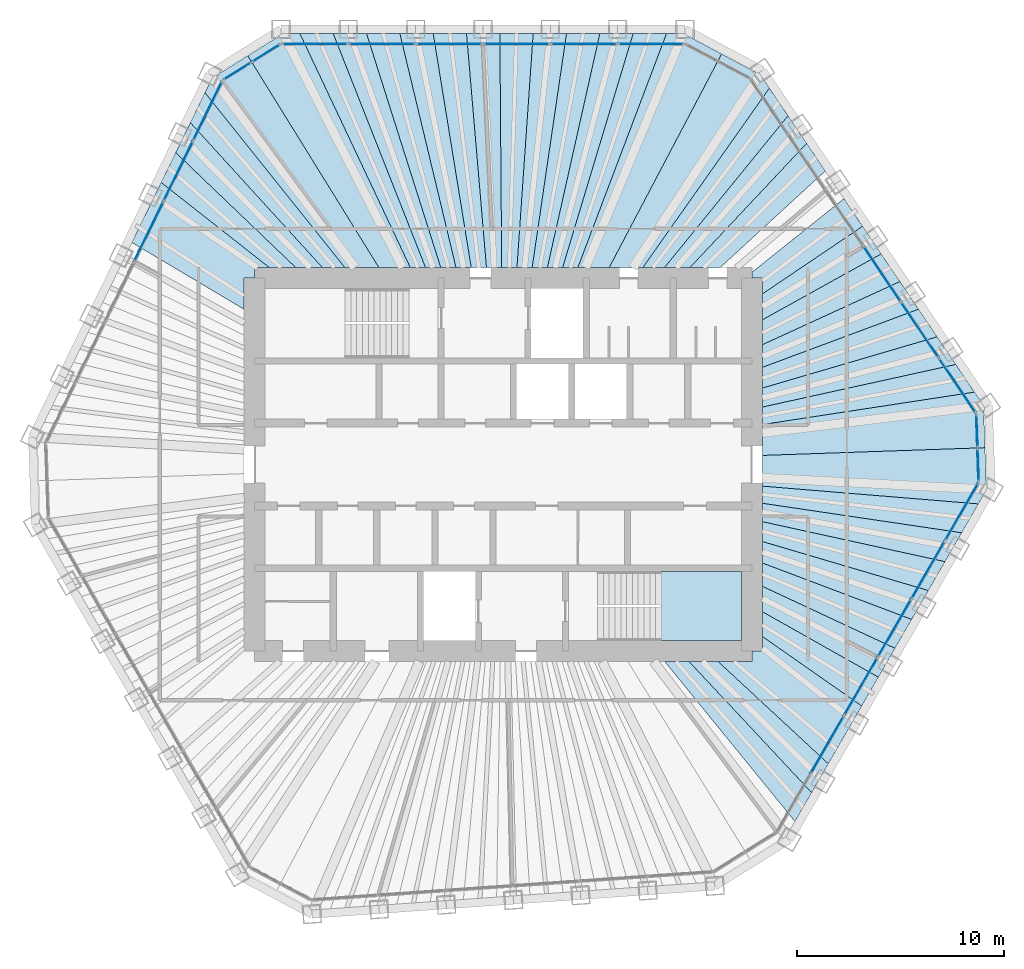
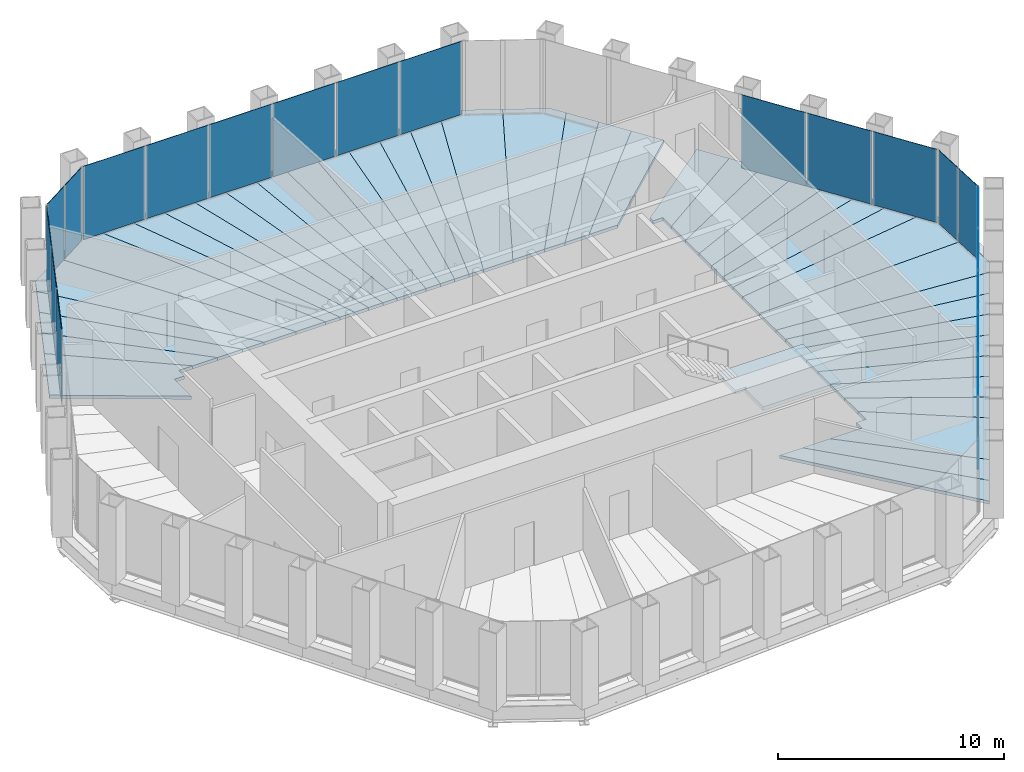
# One storey, part 10 of 14: 42 slabs, 21 plates, 7 elements without a shape of their own.
"""IFC4 building model written with IfcOpenShell, lengths in metres."""

from ifc_helpers import new_model, si_unit, direction, frame, origin, origin_2d, place, context, subcontext, project, spatial, polyline, rectangle, outline, extrude, material, layer, layer_set, type_object, element, aggregate, save


model = new_model("IFC4")

# Units and contexts
model_context = context("Model", 3, precision=1e-05, world=origin(), true_north=direction((0.0, 1.0)))
body_context = subcontext(model_context, "Body", "Model", "MODEL_VIEW")
ifc_project = project(units=[si_unit("LENGTHUNIT", "METRE"), si_unit("AREAUNIT", "SQUARE_METRE"), si_unit("VOLUMEUNIT", "CUBIC_METRE"), si_unit("PLANEANGLEUNIT", "RADIAN"), si_unit("MASSUNIT", "GRAM", prefix="KILO")], contexts=[model_context])

# Site, building, storey
site_placement = place(None, origin())
site = spatial("IfcSite", under=ifc_project, at=site_placement, CompositionType="ELEMENT")
building_placement = place(site_placement, origin())
building = spatial("IfcBuilding", under=site, at=building_placement, Name="Qingtian Harvest Tower", CompositionType="ELEMENT")
storey_placement = place(building_placement, frame((0.0, 0.0, 291.39990234375)))
storey = spatial("IfcBuildingStorey", under=building, at=storey_placement, Name="L64", CompositionType="ELEMENT", Elevation=291.39990234375)

# Slabs
ifc_material_1 = material(Name="Concrete fc' 35 MPa", Category="concrete")
ifc_layer_1 = layer(ifc_material_1, 0.169921875)
ifc_layer_set_1 = layer_set([ifc_layer_1], Name="Composite floor slab FS17 170")
slab_type_1 = type_object("IfcSlabType", Name="Composite floor slab FS17 170", PredefinedType="FLOOR", material=ifc_layer_set_1)
slab_1_placement = place(storey_placement, frame((0.0, 0.0, -0.169921875)))
element("IfcSlab", 1, at=slab_1_placement, inside=storey, type_object=slab_type_1, Name="Floor slab L64 panel D28", PredefinedType="FLOOR", context=body_context, shape_type="SweptSolid", body=[
    extrude(outline(polyline([(8.957275390625, -9.5), (14.88232421875, -15.8330078125), (14.077880859375, -17.2265625), (7.78515625, -9.5), (8.957275390625, -9.5)])), origin(), (0.0, 0.0, 1.0), 0.169921875),
])
slab_2_placement = place(storey_placement, frame((0.0, 0.0, -0.169921875)))
element("IfcSlab", 2, at=slab_2_placement, inside=storey, type_object=slab_type_1, Name="Floor slab L64 panel D29", PredefinedType="FLOOR", context=body_context, shape_type="SweptSolid", body=[
    extrude(outline(polyline([(10.35693359375, -9.5), (15.68701171875, -14.439453125), (14.88232421875, -15.8330078125), (8.957275390625, -9.5), (10.35693359375, -9.5)])), origin(), (0.0, 0.0, 1.0), 0.169921875),
])
slab_3_placement = place(storey_placement, frame((0.0, 0.0, -0.169921875)))
element("IfcSlab", 3, at=slab_3_placement, inside=storey, type_object=slab_type_1, Name="Floor slab L64 panel D31", PredefinedType="FLOOR", context=body_context, shape_type="SweptSolid", body=[
    extrude(outline(polyline([(12.5, -8.29443359375), (17.297119140625, -11.650390625), (15.68701171875, -14.439453125), (10.35693359375, -9.5), (12.0, -9.5), (12.0, -9.0), (12.5, -9.0), (12.5, -8.29443359375)])), origin(), (0.0, 0.0, 1.0), 0.169921875),
])
slab_4_placement = place(storey_placement, frame((0.0, 0.0, -0.169921875)))
element("IfcSlab", 4, at=slab_4_placement, inside=storey, type_object=slab_type_1, Name="Floor slab L64 panel D32", PredefinedType="FLOOR", context=body_context, shape_type="SweptSolid", body=[
    extrude(outline(polyline([(12.5, -7.099853515625), (18.099853515625, -10.26025390625), (17.297119140625, -11.650390625), (12.5, -8.29443359375), (12.5, -7.099853515625)])), origin(), (0.0, 0.0, 1.0), 0.169921875),
])
slab_5_placement = place(storey_placement, frame((0.0, 0.0, -0.169921875)))
element("IfcSlab", 5, at=slab_5_placement, inside=storey, type_object=slab_type_1, Name="Floor slab L64 panel D33", PredefinedType="FLOOR", context=body_context, shape_type="SweptSolid", body=[
    extrude(outline(polyline([(12.5, -5.875244140625), (18.904296875, -8.86669921875), (18.099853515625, -10.26025390625), (12.5, -7.099853515625), (12.5, -5.875244140625)])), origin(), (0.0, 0.0, 1.0), 0.169921875),
])
slab_6_placement = place(storey_placement, frame((0.0, 0.0, -0.169921875)))
element("IfcSlab", 6, at=slab_6_placement, inside=storey, type_object=slab_type_1, Name="Floor slab L64 panel D34", PredefinedType="FLOOR", context=body_context, shape_type="SweptSolid", body=[
    extrude(outline(polyline([(12.5, -4.750732421875), (19.708740234375, -7.473388671875), (18.904296875, -8.86669921875), (12.5, -5.875244140625), (12.5, -4.750732421875)])), origin(), (0.0, 0.0, 1.0), 0.169921875),
])
slab_7_placement = place(storey_placement, frame((0.0, 0.0, -0.169921875)))
element("IfcSlab", 7, at=slab_7_placement, inside=storey, type_object=slab_type_1, Name="Floor slab L64 panel D35", PredefinedType="FLOOR", context=body_context, shape_type="SweptSolid", body=[
    extrude(outline(polyline([(12.5, -3.714599609375), (20.51318359375, -6.080078125), (19.708740234375, -7.473388671875), (12.5, -4.750732421875), (12.5, -3.714599609375)])), origin(), (0.0, 0.0, 1.0), 0.169921875),
])
slab_8_placement = place(storey_placement, frame((0.0, 0.0, -0.169921875)))
element("IfcSlab", 8, at=slab_8_placement, inside=storey, type_object=slab_type_1, Name="Floor slab L64 panel D36", PredefinedType="FLOOR", context=body_context, shape_type="SweptSolid", body=[
    extrude(outline(polyline([(12.5, -2.756591796875), (21.317626953125, -4.6865234375), (20.51318359375, -6.080078125), (12.5, -3.714599609375), (12.5, -2.756591796875)])), origin(), (0.0, 0.0, 1.0), 0.169921875),
])
slab_9_placement = place(storey_placement, frame((0.0, 0.0, -0.169921875)))
element("IfcSlab", 9, at=slab_9_placement, inside=storey, type_object=slab_type_1, Name="Floor slab L64 panel D37", PredefinedType="FLOOR", context=body_context, shape_type="SweptSolid", body=[
    extrude(outline(polyline([(12.5, -1.868408203125), (22.122314453125, -3.293212890625), (21.317626953125, -4.6865234375), (12.5, -2.756591796875), (12.5, -1.868408203125)])), origin(), (0.0, 0.0, 1.0), 0.169921875),
])
slab_10_placement = place(storey_placement, frame((0.0, 0.0, -0.169921875)))
element("IfcSlab", 10, at=slab_10_placement, inside=storey, type_object=slab_type_1, Name="Floor slab L64 panel D38", PredefinedType="FLOOR", context=body_context, shape_type="SweptSolid", body=[
    extrude(outline(polyline([(12.5, -1.042724609375), (22.9267578125, -1.89990234375), (22.122314453125, -3.293212890625), (12.5, -1.868408203125), (12.5, -1.042724609375)])), origin(), (0.0, 0.0, 1.0), 0.169921875),
])
slab_11_placement = place(storey_placement, frame((0.0, 0.0, -0.169921875)))
element("IfcSlab", 11, at=slab_11_placement, inside=storey, type_object=slab_type_1, Name="Floor slab L64 panel D39", PredefinedType="FLOOR", context=body_context, shape_type="SweptSolid", body=[
    extrude(outline(polyline([(12.5, -1.042724609375), (12.5, 0.439697265625), (23.246826171875, 0.811767578125), (23.31787109375, -1.22216796875), (22.9267578125, -1.89990234375), (12.5, -1.042724609375)])), origin(), (0.0, 0.0, 1.0), 0.169921875),
])
slab_12_placement = place(storey_placement, frame((0.0, 0.0, -0.169921875)))
element("IfcSlab", 12, at=slab_12_placement, inside=storey, type_object=slab_type_1, Name="Floor slab L64 panel D40", PredefinedType="FLOOR", context=body_context, shape_type="SweptSolid", body=[
    extrude(outline(polyline([(12.5, 0.439697265625), (12.5, 1.928955078125), (22.73828125, 3.494384765625), (23.17578125, 2.845947265625), (23.246826171875, 0.811767578125), (12.5, 0.439697265625)])), origin(), (0.0, 0.0, 1.0), 0.169921875),
])
slab_13_placement = place(storey_placement, frame((0.0, 0.0, -0.169921875)))
element("IfcSlab", 13, at=slab_13_placement, inside=storey, type_object=slab_type_1, Name="Floor slab L64 panel D41", PredefinedType="FLOOR", context=body_context, shape_type="SweptSolid", body=[
    extrude(outline(polyline([(12.5, 2.772705078125), (21.838623046875, 4.828369140625), (22.73828125, 3.494384765625), (12.5, 1.928955078125), (12.5, 2.772705078125)])), origin(), (0.0, 0.0, 1.0), 0.169921875),
])
slab_14_placement = place(storey_placement, frame((0.0, 0.0, -0.169921875)))
element("IfcSlab", 14, at=slab_14_placement, inside=storey, type_object=slab_type_1, Name="Floor slab L64 panel D42", PredefinedType="FLOOR", context=body_context, shape_type="SweptSolid", body=[
    extrude(outline(polyline([(12.5, 3.688720703125), (20.93896484375, 6.162353515625), (21.838623046875, 4.828369140625), (12.5, 2.772705078125), (12.5, 3.688720703125)])), origin(), (0.0, 0.0, 1.0), 0.169921875),
])
slab_15_placement = place(storey_placement, frame((0.0, 0.0, -0.169921875)))
element("IfcSlab", 15, at=slab_15_placement, inside=storey, type_object=slab_type_1, Name="Floor slab L64 panel D43", PredefinedType="FLOOR", context=body_context, shape_type="SweptSolid", body=[
    extrude(outline(polyline([(12.5, 4.6875), (20.0390625, 7.49609375), (20.93896484375, 6.162353515625), (12.5, 3.688720703125), (12.5, 4.6875)])), origin(), (0.0, 0.0, 1.0), 0.169921875),
])
slab_16_placement = place(storey_placement, frame((0.0, 0.0, -0.169921875)))
element("IfcSlab", 16, at=slab_16_placement, inside=storey, type_object=slab_type_1, Name="Floor slab L64 panel D44", PredefinedType="FLOOR", context=body_context, shape_type="SweptSolid", body=[
    extrude(outline(polyline([(12.5, 5.780029296875), (19.139404296875, 8.830078125), (20.0390625, 7.49609375), (12.5, 4.6875), (12.5, 5.780029296875)])), origin(), (0.0, 0.0, 1.0), 0.169921875),
])
slab_17_placement = place(storey_placement, frame((0.0, 0.0, -0.169921875)))
element("IfcSlab", 17, at=slab_17_placement, inside=storey, type_object=slab_type_1, Name="Floor slab L64 panel D45", PredefinedType="FLOOR", context=body_context, shape_type="SweptSolid", body=[
    extrude(outline(polyline([(12.5, 6.980712890625), (18.23974609375, 10.1640625), (19.139404296875, 8.830078125), (12.5, 5.780029296875), (12.5, 6.980712890625)])), origin(), (0.0, 0.0, 1.0), 0.169921875),
])
slab_18_placement = place(storey_placement, frame((0.0, 0.0, -0.169921875)))
element("IfcSlab", 18, at=slab_18_placement, inside=storey, type_object=slab_type_1, Name="Floor slab L64 panel D46", PredefinedType="FLOOR", context=body_context, shape_type="SweptSolid", body=[
    extrude(outline(polyline([(12.5, 8.22998046875), (17.341064453125, 11.496337890625), (18.23974609375, 10.1640625), (12.5, 6.980712890625), (12.5, 8.22998046875)])), origin(), (0.0, 0.0, 1.0), 0.169921875),
])
slab_19_placement = place(storey_placement, frame((0.0, 0.0, -0.169921875)))
element("IfcSlab", 19, at=slab_19_placement, inside=storey, type_object=slab_type_1, Name="Floor slab L64 panel D47", PredefinedType="FLOOR", context=body_context, shape_type="SweptSolid", body=[
    extrude(outline(polyline([(12.5, 9.0), (12.0, 9.0), (12.0, 9.2734375), (16.44189453125, 12.829345703125), (17.341064453125, 11.496337890625), (12.5, 8.22998046875), (12.5, 9.0)])), origin(), (0.0, 0.0, 1.0), 0.169921875),
])
slab_20_placement = place(storey_placement, frame((0.0, 0.0, -0.169921875)))
element("IfcSlab", 20, at=slab_20_placement, inside=storey, type_object=slab_type_1, Name="Floor slab L64 panel D49", PredefinedType="FLOOR", context=body_context, shape_type="SweptSolid", body=[
    extrude(outline(polyline([(9.002685546875, 9.5), (14.641357421875, 15.498779296875), (15.541259765625, 14.16455078125), (10.4599609375, 9.5), (9.002685546875, 9.5)])), origin(), (0.0, 0.0, 1.0), 0.169921875),
])
slab_21_placement = place(storey_placement, frame((0.0, 0.0, -0.169921875)))
element("IfcSlab", 21, at=slab_21_placement, inside=storey, type_object=slab_type_1, Name="Floor slab L64 panel D50", PredefinedType="FLOOR", context=body_context, shape_type="SweptSolid", body=[
    extrude(outline(polyline([(7.77734375, 9.5), (13.74169921875, 16.832763671875), (14.641357421875, 15.498779296875), (9.002685546875, 9.5), (7.77734375, 9.5)])), origin(), (0.0, 0.0, 1.0), 0.169921875),
])
slab_22_placement = place(storey_placement, frame((0.0, 0.0, -0.169921875)))
element("IfcSlab", 22, at=slab_22_placement, inside=storey, type_object=slab_type_1, Name="Floor slab L64 panel D51", PredefinedType="FLOOR", context=body_context, shape_type="SweptSolid", body=[
    extrude(outline(polyline([(6.73291015625, 9.5), (12.841796875, 18.16650390625), (13.74169921875, 16.832763671875), (7.77734375, 9.5), (6.73291015625, 9.5)])), origin(), (0.0, 0.0, 1.0), 0.169921875),
])
slab_23_placement = place(storey_placement, frame((0.0, 0.0, -0.169921875)))
element("IfcSlab", 23, at=slab_23_placement, inside=storey, type_object=slab_type_1, Name="Floor slab L64 panel D52", PredefinedType="FLOOR", context=body_context, shape_type="SweptSolid", body=[
    extrude(outline(polyline([(6.73291015625, 9.5), (5.108154296875, 9.5), (10.5341796875, 19.809814453125), (12.404296875, 18.8154296875), (12.841796875, 18.16650390625), (6.73291015625, 9.5)])), origin(), (0.0, 0.0, 1.0), 0.169921875),
])
slab_24_placement = place(storey_placement, frame((0.0, 0.0, -0.169921875)))
element("IfcSlab", 24, at=slab_24_placement, inside=storey, type_object=slab_type_1, Name="Floor slab L64 panel D53", PredefinedType="FLOOR", context=body_context, shape_type="SweptSolid", body=[
    extrude(outline(polyline([(3.59814453125, 9.5), (7.880126953125, 20.804931640625), (8.662109375, 20.804931640625), (10.5341796875, 19.809814453125), (5.108154296875, 9.5), (3.59814453125, 9.5)])), origin(), (0.0, 0.0, 1.0), 0.169921875),
])
slab_25_placement = place(storey_placement, frame((0.0, 0.0, -0.169921875)))
element("IfcSlab", 25, at=slab_25_placement, inside=storey, type_object=slab_type_1, Name="Floor slab L64 panel D54", PredefinedType="FLOOR", context=body_context, shape_type="SweptSolid", body=[
    extrude(outline(polyline([(2.863525390625, 9.5), (6.27099609375, 20.804931640625), (7.880126953125, 20.804931640625), (3.59814453125, 9.5), (2.863525390625, 9.5)])), origin(), (0.0, 0.0, 1.0), 0.169921875),
])
slab_26_placement = place(storey_placement, frame((0.0, 0.0, -0.169921875)))
element("IfcSlab", 26, at=slab_26_placement, inside=storey, type_object=slab_type_1, Name="Floor slab L64 panel D55", PredefinedType="FLOOR", context=body_context, shape_type="SweptSolid", body=[
    extrude(outline(polyline([(2.12890625, 9.5), (4.662109375, 20.804931640625), (6.27099609375, 20.804931640625), (2.863525390625, 9.5), (2.12890625, 9.5)])), origin(), (0.0, 0.0, 1.0), 0.169921875),
])
slab_27_placement = place(storey_placement, frame((0.0, 0.0, -0.169921875)))
element("IfcSlab", 27, at=slab_27_placement, inside=storey, type_object=slab_type_1, Name="Floor slab L64 panel D56", PredefinedType="FLOOR", context=body_context, shape_type="SweptSolid", body=[
    extrude(outline(polyline([(1.394287109375, 9.5), (3.05322265625, 20.804931640625), (4.662109375, 20.804931640625), (2.12890625, 9.5), (1.394287109375, 9.5)])), origin(), (0.0, 0.0, 1.0), 0.169921875),
])
slab_28_placement = place(storey_placement, frame((0.0, 0.0, -0.169921875)))
element("IfcSlab", 28, at=slab_28_placement, inside=storey, type_object=slab_type_1, Name="Floor slab L64 panel D57", PredefinedType="FLOOR", context=body_context, shape_type="SweptSolid", body=[
    extrude(outline(polyline([(0.659423828125, 9.5), (1.4443359375, 20.804931640625), (3.05322265625, 20.804931640625), (1.394287109375, 9.5), (0.659423828125, 9.5)])), origin(), (0.0, 0.0, 1.0), 0.169921875),
])
slab_29_placement = place(storey_placement, frame((0.0, 0.0, -0.169921875)))
element("IfcSlab", 29, at=slab_29_placement, inside=storey, type_object=slab_type_1, Name="Floor slab L64 panel D58", PredefinedType="FLOOR", context=body_context, shape_type="SweptSolid", body=[
    extrude(outline(polyline([(-0.0751953125, 9.5), (-0.16455078125, 20.804931640625), (1.4443359375, 20.804931640625), (0.659423828125, 9.5), (-0.0751953125, 9.5)])), origin(), (0.0, 0.0, 1.0), 0.169921875),
])
slab_30_placement = place(storey_placement, frame((0.0, 0.0, -0.169921875)))
element("IfcSlab", 30, at=slab_30_placement, inside=storey, type_object=slab_type_1, Name="Floor slab L64 panel D59", PredefinedType="FLOOR", context=body_context, shape_type="SweptSolid", body=[
    extrude(outline(polyline([(-0.809814453125, 9.5), (-1.773681640625, 20.804931640625), (-0.16455078125, 20.804931640625), (-0.0751953125, 9.5), (-0.809814453125, 9.5)])), origin(), (0.0, 0.0, 1.0), 0.169921875),
])
slab_31_placement = place(storey_placement, frame((0.0, 0.0, -0.169921875)))
element("IfcSlab", 31, at=slab_31_placement, inside=storey, type_object=slab_type_1, Name="Floor slab L64 panel D60", PredefinedType="FLOOR", context=body_context, shape_type="SweptSolid", body=[
    extrude(outline(polyline([(-1.54443359375, 9.5), (-3.382568359375, 20.804931640625), (-1.773681640625, 20.804931640625), (-0.809814453125, 9.5), (-1.54443359375, 9.5)])), origin(), (0.0, 0.0, 1.0), 0.169921875),
])
slab_32_placement = place(storey_placement, frame((0.0, 0.0, -0.169921875)))
element("IfcSlab", 32, at=slab_32_placement, inside=storey, type_object=slab_type_1, Name="Floor slab L64 panel D61", PredefinedType="FLOOR", context=body_context, shape_type="SweptSolid", body=[
    extrude(outline(polyline([(-2.279296875, 9.5), (-4.991455078125, 20.804931640625), (-3.382568359375, 20.804931640625), (-1.54443359375, 9.5), (-2.279296875, 9.5)])), origin(), (0.0, 0.0, 1.0), 0.169921875),
])
slab_33_placement = place(storey_placement, frame((0.0, 0.0, -0.169921875)))
element("IfcSlab", 33, at=slab_33_placement, inside=storey, type_object=slab_type_1, Name="Floor slab L64 panel D62", PredefinedType="FLOOR", context=body_context, shape_type="SweptSolid", body=[
    extrude(outline(polyline([(-3.013916015625, 9.5), (-6.600341796875, 20.804931640625), (-4.991455078125, 20.804931640625), (-2.279296875, 9.5), (-3.013916015625, 9.5)])), origin(), (0.0, 0.0, 1.0), 0.169921875),
])
slab_34_placement = place(storey_placement, frame((0.0, 0.0, -0.169921875)))
element("IfcSlab", 34, at=slab_34_placement, inside=storey, type_object=slab_type_1, Name="Floor slab L64 panel D63", PredefinedType="FLOOR", context=body_context, shape_type="SweptSolid", body=[
    extrude(outline(polyline([(-3.74853515625, 9.5), (-8.209228515625, 20.804931640625), (-6.600341796875, 20.804931640625), (-3.013916015625, 9.5), (-3.74853515625, 9.5)])), origin(), (0.0, 0.0, 1.0), 0.169921875),
])
slab_35_placement = place(storey_placement, frame((0.0, 0.0, -0.169921875)))
element("IfcSlab", 35, at=slab_35_placement, inside=storey, type_object=slab_type_1, Name="Floor slab L64 panel D64", PredefinedType="FLOOR", context=body_context, shape_type="SweptSolid", body=[
    extrude(outline(polyline([(-4.483154296875, 9.5), (-9.818115234375, 20.804931640625), (-8.209228515625, 20.804931640625), (-3.74853515625, 9.5), (-4.483154296875, 9.5)])), origin(), (0.0, 0.0, 1.0), 0.169921875),
])
slab_36_placement = place(storey_placement, frame((0.0, 0.0, -0.169921875)))
element("IfcSlab", 36, at=slab_36_placement, inside=storey, type_object=slab_type_1, Name="Floor slab L64 panel D65", PredefinedType="FLOOR", context=body_context, shape_type="SweptSolid", body=[
    extrude(outline(polyline([(-4.483154296875, 9.5), (-5.998291015625, 9.5), (-12.327392578125, 19.725830078125), (-10.600341796875, 20.804931640625), (-9.818115234375, 20.804931640625), (-4.483154296875, 9.5)])), origin(), (0.0, 0.0, 1.0), 0.169921875),
])
slab_37_placement = place(storey_placement, frame((0.0, 0.0, -0.169921875)))
element("IfcSlab", 37, at=slab_37_placement, inside=storey, type_object=slab_type_1, Name="Floor slab L64 panel D66", PredefinedType="FLOOR", context=body_context, shape_type="SweptSolid", body=[
    extrude(outline(polyline([(-5.998291015625, 9.5), (-7.640869140625, 9.5), (-14.3955078125, 17.944580078125), (-14.052490234375, 18.64794921875), (-12.327392578125, 19.725830078125), (-5.998291015625, 9.5)])), origin(), (0.0, 0.0, 1.0), 0.169921875),
])
slab_38_placement = place(storey_placement, frame((0.0, 0.0, -0.169921875)))
element("IfcSlab", 38, at=slab_38_placement, inside=storey, type_object=slab_type_1, Name="Floor slab L64 panel D67", PredefinedType="FLOOR", context=body_context, shape_type="SweptSolid", body=[
    extrude(outline(polyline([(-8.720703125, 9.5), (-15.100830078125, 16.498291015625), (-14.3955078125, 17.944580078125), (-7.640869140625, 9.5), (-8.720703125, 9.5)])), origin(), (0.0, 0.0, 1.0), 0.169921875),
])
slab_39_placement = place(storey_placement, frame((0.0, 0.0, -0.169921875)))
element("IfcSlab", 39, at=slab_39_placement, inside=storey, type_object=slab_type_1, Name="Floor slab L64 panel D68", PredefinedType="FLOOR", context=body_context, shape_type="SweptSolid", body=[
    extrude(outline(polyline([(-10.00927734375, 9.5), (-15.80615234375, 15.05224609375), (-15.100830078125, 16.498291015625), (-8.720703125, 9.5), (-10.00927734375, 9.5)])), origin(), (0.0, 0.0, 1.0), 0.169921875),
])
slab_40_placement = place(storey_placement, frame((0.0, 0.0, -0.169921875)))
element("IfcSlab", 40, at=slab_40_placement, inside=storey, type_object=slab_type_1, Name="Floor slab L64 panel D69", PredefinedType="FLOOR", context=body_context, shape_type="SweptSolid", body=[
    extrude(outline(polyline([(-11.28125, 9.5), (-16.50927734375, 13.61083984375), (-15.80615234375, 15.05224609375), (-10.00927734375, 9.5), (-11.28125, 9.5)])), origin(), (0.0, 0.0, 1.0), 0.169921875),
])
slab_41_placement = place(storey_placement, frame((0.0, 0.0, -0.169921875)))
element("IfcSlab", 41, at=slab_41_placement, inside=storey, type_object=slab_type_1, Name="Floor slab L64 panel D70", PredefinedType="FLOOR", context=body_context, shape_type="SweptSolid", body=[
    extrude(outline(polyline([(-12.0, 9.0), (-12.5, 9.0), (-12.5, 7.48583984375), (-17.921875, 10.714599609375), (-16.50927734375, 13.61083984375), (-11.28125, 9.5), (-12.0, 9.5), (-12.0, 9.0)])), origin(), (0.0, 0.0, 1.0), 0.169921875),
])

# Curtain wall, plates
ifc_material_2 = material(Name="Bronze-anodised aluminium curtain wall", Category="aluminium")
curtain_wall_type = type_object("IfcCurtainWallType", Name="Curtain wall CW5 upper office", PredefinedType="USERDEFINED", material=ifc_material_2)
curtain_wall_1_placement = place(storey_placement, origin())
curtain_wall_1 = element("IfcCurtainWall", 42, at=curtain_wall_1_placement, inside=storey, type_object=curtain_wall_type, Name="Curtain wall CW5 L64 N0-5", ObjectType="RECESSED CURTAIN WALL", PredefinedType="USERDEFINED")
ifc_material_3 = material(Name="Bronze-tinted laminated insulating glass", Category="glass")
ifc_layer_2 = layer(ifc_material_3, 0.030029296875)
ifc_layer_set_2 = layer_set([ifc_layer_2], Name="Glazed panel CWP tinted IGU")
plate_type = type_object("IfcPlateType", Name="Glazed panel CWP tinted IGU", PredefinedType="CURTAIN_PANEL", material=ifc_layer_set_2)
plate_1_placement = place(storey_placement, frame((-9.08203125, 20.300048828125, 0.06494140625), z_axis=(0.0, 0.0, 1.0), x_axis=(1.0, 0.0, 0.0)))
plate_1 = element("IfcPlate", 43, at=plate_1_placement, type_object=plate_type, Name="CW5 panel 1.1", PredefinedType="CURTAIN_PANEL", context=body_context, shape_type="SweptSolid", body=[
    extrude(rectangle(XDim=3.150634765625, YDim=0.030029296875, at=origin_2d()), origin(), (0.0, 0.0, 1.0), 3.965087890625),
])
plate_2_placement = place(storey_placement, frame((-5.85009765625, 20.300048828125, 0.06494140625), z_axis=(0.0, 0.0, 1.0), x_axis=(1.0, 0.0, 0.0)))
plate_2 = element("IfcPlate", 44, at=plate_2_placement, type_object=plate_type, Name="CW5 panel 2.1", PredefinedType="CURTAIN_PANEL", context=body_context, shape_type="SweptSolid", body=[
    extrude(rectangle(XDim=3.18310546875, YDim=0.030029296875, at=origin_2d()), origin(), (0.0, 0.0, 1.0), 3.965087890625),
])
plate_3_placement = place(storey_placement, frame((-2.602294921875, 20.300048828125, 0.06494140625), z_axis=(0.0, 0.0, 1.0), x_axis=(1.0, 0.0, 0.0)))
plate_3 = element("IfcPlate", 45, at=plate_3_placement, type_object=plate_type, Name="CW5 panel 3.1", PredefinedType="CURTAIN_PANEL", context=body_context, shape_type="SweptSolid", body=[
    extrude(rectangle(XDim=3.18310546875, YDim=0.030029296875, at=origin_2d()), origin(), (0.0, 0.0, 1.0), 3.965087890625),
])
plate_4_placement = place(storey_placement, frame((0.645751953125, 20.300048828125, 0.06494140625), z_axis=(0.0, 0.0, 1.0), x_axis=(1.0, 0.0, 0.0)))
plate_4 = element("IfcPlate", 46, at=plate_4_placement, type_object=plate_type, Name="CW5 panel 4.1", PredefinedType="CURTAIN_PANEL", context=body_context, shape_type="SweptSolid", body=[
    extrude(rectangle(XDim=3.18310546875, YDim=0.030029296875, at=origin_2d()), origin(), (0.0, 0.0, 1.0), 3.965087890625),
])
plate_5_placement = place(storey_placement, frame((3.893798828125, 20.300048828125, 0.06494140625), z_axis=(0.0, 0.0, 1.0), x_axis=(1.0, 0.0, 0.0)))
plate_5 = element("IfcPlate", 47, at=plate_5_placement, type_object=plate_type, Name="CW5 panel 5.1", PredefinedType="CURTAIN_PANEL", context=body_context, shape_type="SweptSolid", body=[
    extrude(rectangle(XDim=3.18310546875, YDim=0.030029296875, at=origin_2d()), origin(), (0.0, 0.0, 1.0), 3.965087890625),
])
plate_6_placement = place(storey_placement, frame((7.125732421875, 20.300048828125, 0.06494140625), z_axis=(0.0, 0.0, 1.0), x_axis=(1.0, 0.0, 0.0)))
plate_6 = element("IfcPlate", 48, at=plate_6_placement, type_object=plate_type, Name="CW5 panel 6.1", PredefinedType="CURTAIN_PANEL", context=body_context, shape_type="SweptSolid", body=[
    extrude(rectangle(XDim=3.150634765625, YDim=0.030029296875, at=origin_2d()), origin(), (0.0, 0.0, 1.0), 3.965087890625),
])
aggregate(curtain_wall_1, [plate_1, plate_2, plate_3, plate_4, plate_5, plate_6])

curtain_wall_2_placement = place(storey_placement, origin())
curtain_wall_2 = element("IfcCurtainWall", 49, at=curtain_wall_2_placement, inside=storey, type_object=curtain_wall_type, Name="Curtain wall CW5 L64 NE0-5", ObjectType="RECESSED CURTAIN WALL", PredefinedType="USERDEFINED")
plate_7_placement = place(storey_placement, frame((18.28466796875, 9.1943359375, 0.06494140625), z_axis=(0.0, 0.0, 1.0), x_axis=(0.559192903471, -0.829037572555, 0.0)))
plate_7 = element("IfcPlate", 50, at=plate_7_placement, type_object=plate_type, Name="CW5 panel 4.1", PredefinedType="CURTAIN_PANEL", context=body_context, shape_type="SweptSolid", body=[
    extrude(rectangle(XDim=3.18310546875, YDim=0.030029296875, at=origin_2d()), origin(), (0.0, 0.0, 1.0), 3.965087890625),
])
plate_8_placement = place(storey_placement, frame((20.100830078125, 6.50146484375, 0.06494140625), z_axis=(0.0, 0.0, 1.0), x_axis=(0.559192903471, -0.829037572555, 0.0)))
plate_8 = element("IfcPlate", 51, at=plate_8_placement, type_object=plate_type, Name="CW5 panel 5.1", PredefinedType="CURTAIN_PANEL", context=body_context, shape_type="SweptSolid", body=[
    extrude(rectangle(XDim=3.18310546875, YDim=0.030029296875, at=origin_2d()), origin(), (0.0, 0.0, 1.0), 3.965087890625),
])
plate_9_placement = place(storey_placement, frame((21.907958984375, 3.822265625, 0.06494140625), z_axis=(0.0, 0.0, 1.0), x_axis=(0.559192903471, -0.829037572555, 0.0)))
plate_9 = element("IfcPlate", 52, at=plate_9_placement, type_object=plate_type, Name="CW5 panel 6.1", PredefinedType="CURTAIN_PANEL", context=body_context, shape_type="SweptSolid", body=[
    extrude(rectangle(XDim=3.150634765625, YDim=0.030029296875, at=origin_2d()), origin(), (0.0, 0.0, 1.0), 3.965087890625),
])
aggregate(curtain_wall_2, [plate_7, plate_8, plate_9])

curtain_wall_3_placement = place(storey_placement, origin())
curtain_wall_3 = element("IfcCurtainWall", 53, at=curtain_wall_3_placement, inside=storey, type_object=curtain_wall_type, Name="Curtain wall CW5 L64 NEC", ObjectType="RECESSED CURTAIN WALL", PredefinedType="USERDEFINED")
plate_10_placement = place(storey_placement, frame((22.85498046875, 1.614501953125, 0.06494140625), z_axis=(0.0, 0.0, 1.0), x_axis=(0.034899496703, -0.999390827019, 0.0)))
plate_10 = element("IfcPlate", 54, at=plate_10_placement, type_object=plate_type, Name="CW5 panel 1.1", PredefinedType="CURTAIN_PANEL", context=body_context, shape_type="SweptSolid", body=[
    extrude(rectangle(XDim=1.56689453125, YDim=0.030029296875, at=origin_2d()), origin(), (0.0, 0.0, 1.0), 3.965087890625),
])
plate_11_placement = place(storey_placement, frame((22.911865234375, -0.016357421875, 0.06494140625), z_axis=(0.0, 0.0, 1.0), x_axis=(0.034899496703, -0.999390827019, 0.0)))
plate_11 = element("IfcPlate", 55, at=plate_11_placement, type_object=plate_type, Name="CW5 panel 2.1", PredefinedType="CURTAIN_PANEL", context=body_context, shape_type="SweptSolid", body=[
    extrude(rectangle(XDim=1.56689453125, YDim=0.030029296875, at=origin_2d()), origin(), (0.0, 0.0, 1.0), 3.965087890625),
])
aggregate(curtain_wall_3, [plate_10, plate_11])

curtain_wall_4_placement = place(storey_placement, origin())
curtain_wall_4 = element("IfcCurtainWall", 56, at=curtain_wall_4_placement, inside=storey, type_object=curtain_wall_type, Name="Curtain wall CW5 L64 SE0-5", ObjectType="RECESSED CURTAIN WALL", PredefinedType="USERDEFINED")
plate_12_placement = place(storey_placement, frame((22.121337890625, -2.28466796875, 0.06494140625), z_axis=(0.0, 0.0, 1.0), x_axis=(-0.5, -0.866025403784, 0.0)))
plate_12 = element("IfcPlate", 57, at=plate_12_placement, type_object=plate_type, Name="CW5 panel 1.1", PredefinedType="CURTAIN_PANEL", context=body_context, shape_type="SweptSolid", body=[
    extrude(rectangle(XDim=3.150634765625, YDim=0.030029296875, at=origin_2d()), origin(), (0.0, 0.0, 1.0), 3.965087890625),
])
plate_13_placement = place(storey_placement, frame((20.50537109375, -5.08349609375, 0.06494140625), z_axis=(0.0, 0.0, 1.0), x_axis=(-0.5, -0.866025403784, 0.0)))
plate_13 = element("IfcPlate", 58, at=plate_13_placement, type_object=plate_type, Name="CW5 panel 2.1", PredefinedType="CURTAIN_PANEL", context=body_context, shape_type="SweptSolid", body=[
    extrude(rectangle(XDim=3.18310546875, YDim=0.030029296875, at=origin_2d()), origin(), (0.0, 0.0, 1.0), 3.965087890625),
])
plate_14_placement = place(storey_placement, frame((18.88134765625, -7.896484375, 0.06494140625), z_axis=(0.0, 0.0, 1.0), x_axis=(-0.5, -0.866025403784, 0.0)))
plate_14 = element("IfcPlate", 59, at=plate_14_placement, type_object=plate_type, Name="CW5 panel 3.1", PredefinedType="CURTAIN_PANEL", context=body_context, shape_type="SweptSolid", body=[
    extrude(rectangle(XDim=3.18310546875, YDim=0.030029296875, at=origin_2d()), origin(), (0.0, 0.0, 1.0), 3.965087890625),
])
plate_15_placement = place(storey_placement, frame((17.25732421875, -10.709228515625, 0.06494140625), z_axis=(0.0, 0.0, 1.0), x_axis=(-0.5, -0.866025403784, 0.0)))
plate_15 = element("IfcPlate", 60, at=plate_15_placement, type_object=plate_type, Name="CW5 panel 4.1", PredefinedType="CURTAIN_PANEL", context=body_context, shape_type="SweptSolid", body=[
    extrude(rectangle(XDim=3.18310546875, YDim=0.030029296875, at=origin_2d()), origin(), (0.0, 0.0, 1.0), 3.965087890625),
])
plate_16_placement = place(storey_placement, frame((15.63330078125, -13.522216796875, 0.06494140625), z_axis=(0.0, 0.0, 1.0), x_axis=(-0.5, -0.866025403784, 0.0)))
plate_16 = element("IfcPlate", 61, at=plate_16_placement, type_object=plate_type, Name="CW5 panel 5.1", PredefinedType="CURTAIN_PANEL", context=body_context, shape_type="SweptSolid", body=[
    extrude(rectangle(XDim=3.18310546875, YDim=0.030029296875, at=origin_2d()), origin(), (0.0, 0.0, 1.0), 3.965087890625),
])
aggregate(curtain_wall_4, [plate_12, plate_13, plate_14, plate_15, plate_16])

curtain_wall_5_placement = place(storey_placement, origin())
curtain_wall_5 = element("IfcCurtainWall", 62, at=curtain_wall_5_placement, inside=storey, type_object=curtain_wall_type, Name="Curtain wall CW5 L64 NW0-5", ObjectType="RECESSED CURTAIN WALL", PredefinedType="USERDEFINED")
plate_17_placement = place(storey_placement, frame((-17.104736328125, 11.23779296875, 0.06494140625), z_axis=(0.0, 0.0, 1.0), x_axis=(0.438371146789, 0.898794046299, 0.0)))
plate_17 = element("IfcPlate", 63, at=plate_17_placement, type_object=plate_type, Name="CW5 panel 4.1", PredefinedType="CURTAIN_PANEL", context=body_context, shape_type="SweptSolid", body=[
    extrude(rectangle(XDim=3.18310546875, YDim=0.030029296875, at=origin_2d()), origin(), (0.0, 0.0, 1.0), 3.965087890625),
])
plate_18_placement = place(storey_placement, frame((-15.680908203125, 14.156982421875, 0.06494140625), z_axis=(0.0, 0.0, 1.0), x_axis=(0.438371146789, 0.898794046299, 0.0)))
plate_18 = element("IfcPlate", 64, at=plate_18_placement, type_object=plate_type, Name="CW5 panel 5.1", PredefinedType="CURTAIN_PANEL", context=body_context, shape_type="SweptSolid", body=[
    extrude(rectangle(XDim=3.18310546875, YDim=0.030029296875, at=origin_2d()), origin(), (0.0, 0.0, 1.0), 3.965087890625),
])
plate_19_placement = place(storey_placement, frame((-14.26416015625, 17.061767578125, 0.06494140625), z_axis=(0.0, 0.0, 1.0), x_axis=(0.438371146789, 0.898794046299, 0.0)))
plate_19 = element("IfcPlate", 65, at=plate_19_placement, type_object=plate_type, Name="CW5 panel 6.1", PredefinedType="CURTAIN_PANEL", context=body_context, shape_type="SweptSolid", body=[
    extrude(rectangle(XDim=3.150634765625, YDim=0.030029296875, at=origin_2d()), origin(), (0.0, 0.0, 1.0), 3.965087890625),
])
aggregate(curtain_wall_5, [plate_17, plate_18, plate_19])

curtain_wall_6_placement = place(storey_placement, origin())
curtain_wall_6 = element("IfcCurtainWall", 66, at=curtain_wall_6_placement, inside=storey, type_object=curtain_wall_type, Name="Curtain wall CW5 L64 NWC", ObjectType="RECESSED CURTAIN WALL", PredefinedType="USERDEFINED")
plate_20_placement = place(storey_placement, frame((-12.82568359375, 18.985595703125, 0.06494140625), z_axis=(0.0, 0.0, 1.0), x_axis=(0.848048096156, 0.529919264233, 0.0)))
plate_20 = element("IfcPlate", 67, at=plate_20_placement, type_object=plate_type, Name="CW5 panel 1.1", PredefinedType="CURTAIN_PANEL", context=body_context, shape_type="SweptSolid", body=[
    extrude(rectangle(XDim=1.56689453125, YDim=0.030029296875, at=origin_2d()), origin(), (0.0, 0.0, 1.0), 3.965087890625),
])
plate_21_placement = place(storey_placement, frame((-11.441650390625, 19.850341796875, 0.06494140625), z_axis=(0.0, 0.0, 1.0), x_axis=(0.848048096156, 0.529919264233, 0.0)))
plate_21 = element("IfcPlate", 68, at=plate_21_placement, type_object=plate_type, Name="CW5 panel 2.1", PredefinedType="CURTAIN_PANEL", context=body_context, shape_type="SweptSolid", body=[
    extrude(rectangle(XDim=1.56689453125, YDim=0.030029296875, at=origin_2d()), origin(), (0.0, 0.0, 1.0), 3.965087890625),
])
aggregate(curtain_wall_6, [plate_20, plate_21])

# Stair, slab
ifc_material_4 = material(Name="Concrete fc' 35 MPa", Category="concrete")
stair_type = type_object("IfcStairType", Name="Special stair ST6 4200", PredefinedType="HALF_TURN_STAIR", material=ifc_material_4)
stair_placement = place(storey_placement, origin())
stair = element("IfcStair", 69, at=stair_placement, inside=storey, type_object=stair_type, Name="Special stair S2 L64", PredefinedType="HALF_TURN_STAIR")
ifc_material_5 = material(Name="Concrete fc' 35 MPa", Category="concrete")
ifc_layer_3 = layer(ifc_material_5, 0.199951171875)
ifc_layer_set_3 = layer_set([ifc_layer_3], Name="Stair landing SL2 200")
slab_type_2 = type_object("IfcSlabType", Name="Stair landing SL2 200", PredefinedType="LANDING", material=ifc_layer_set_3)
slab_42_placement = place(storey_placement, frame((0.0, 0.0, 1.900146484375)))
slab_42 = element("IfcSlab", 70, at=slab_42_placement, type_object=slab_type_2, Name="S2 landing 2", PredefinedType="LANDING", context=body_context, shape_type="SweptSolid", body=[
    extrude(outline(polyline([(7.530029296875, -8.5), (7.530029296875, -6.875), (7.6298828125, -6.875), (7.6298828125, -6.77490234375), (7.094970703125, -6.77490234375), (7.094970703125, -5.14990234375), (11.5, -5.14990234375), (11.5, -8.5), (7.530029296875, -8.5)])), origin(), (0.0, 0.0, 1.0), 0.199951171875),
])
aggregate(stair, [slab_42])

save(model, "model.ifc")
